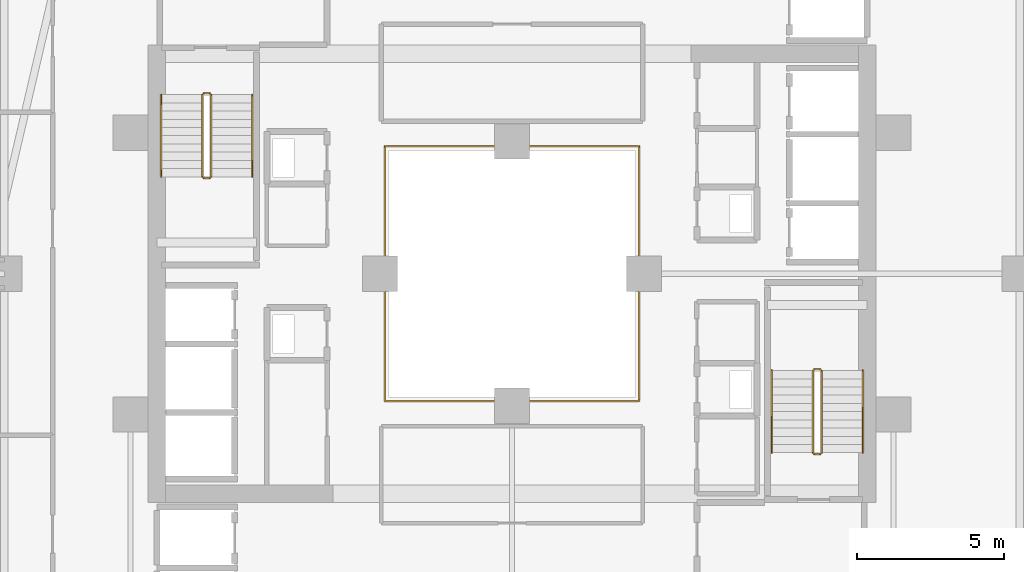
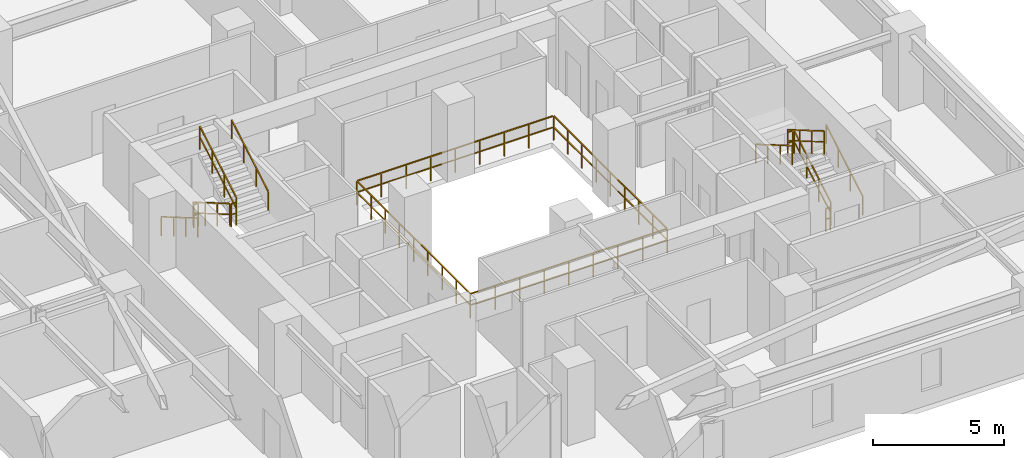
# One storey, part 30 of 31: 13 railings.
"""IFC4 building model written with IfcOpenShell, lengths in metres."""

import ifcopenshell
import ifcopenshell.guid

model = None  # the IFC model being written
_history = None  # IfcOwnerHistory: only IFC2X3 demands one
_inside = {}  # id of a spatial element -> (the spatial element, [elements in it])
_under = {}  # id of a project, library or spatial element -> (it, [spatial elements below it])
_declared = {}  # id of a project -> (the project, [libraries it declares])
_typed = {}  # id of a type object -> (the type object, [elements of that type])
_made_of = {}  # id of a material, layer set ... -> (it, [elements and type objects made of it])


def new_model(schema):
    """Start an empty IFC model of exactly this schema.

    Asked for "IFC4X3", IfcOpenShell would pick the latest addendum, in which some entities
    have other attributes; the version numbers below select the first issue.
    IFC2X3 requires an IfcOwnerHistory on every rooted entity: one is made here for all.
    """
    global model, _history
    if schema == "IFC4X3":
        model = ifcopenshell.file(schema_version=(4, 3, 0, 0))
    else:
        model = ifcopenshell.file(schema=schema)
    _inside.clear()
    _under.clear()
    _declared.clear()
    _typed.clear()
    _made_of.clear()
    _history = None
    if model.schema == "IFC2X3":
        org = make("IfcOrganization", Name="unknown")
        user = make(
            "IfcPersonAndOrganization",
            ThePerson=make("IfcPerson", FamilyName="unknown"),
            TheOrganization=org,
        )
        app = make(
            "IfcApplication",
            ApplicationDeveloper=org,
            Version="unknown",
            ApplicationFullName="unknown",
            ApplicationIdentifier="unknown",
        )
        _history = make(
            "IfcOwnerHistory",
            OwningUser=user,
            OwningApplication=app,
            ChangeAction="ADDED",
            CreationDate=0,
        )
    return model


def make(cls, **values):
    """One entity of the class cls with the attributes given. An attribute that is None is left unset."""
    return model.create_entity(
        cls, **{name: value for name, value in values.items() if value is not None}
    )


def rooted(cls, **values):
    """An entity with a GlobalId (a new one), such as an element, a storey or a relation."""
    return make(cls, GlobalId=ifcopenshell.guid.new(), OwnerHistory=_history, **values)


def si_unit(unit_type, name, prefix=None):
    """IfcSIUnit, for example si_unit("LENGTHUNIT", "METRE", prefix="MILLI")."""
    return make("IfcSIUnit", UnitType=unit_type, Prefix=prefix, Name=name)


def assignment(units):
    """IfcUnitAssignment: the units of a project."""
    return None if units is None else make("IfcUnitAssignment", Units=units)


def point(xyz):
    """IfcCartesianPoint."""
    return None if xyz is None else make("IfcCartesianPoint", Coordinates=xyz)


def direction(xyz):
    """IfcDirection."""
    return None if xyz is None else make("IfcDirection", DirectionRatios=xyz)


def frame(location, z_axis=None, x_axis=None):
    """IfcAxis2Placement3D, a coordinate frame: its origin and axes. An axis left out is left unset."""
    return make(
        "IfcAxis2Placement3D",
        Location=point(location),
        Axis=direction(z_axis),
        RefDirection=direction(x_axis),
    )


def frame_2d(location, x_axis=None):
    """IfcAxis2Placement2D, a coordinate frame in the plane: its origin and x axis."""
    return make(
        "IfcAxis2Placement2D", Location=point(location), RefDirection=direction(x_axis)
    )


def origin():
    """The frame at (0, 0, 0) with its axes left unset."""
    return frame((0.0, 0.0, 0.0))


def origin_2d():
    """The frame at (0, 0) in the plane with its x axis left unset."""
    return frame_2d((0.0, 0.0))


def place(relative_to, where):
    """IfcLocalPlacement: puts the frame where relative to a parent placement (None: the world)."""
    return make(
        "IfcLocalPlacement", PlacementRelTo=relative_to, RelativePlacement=where
    )


def context(
    kind, dimensions, precision=None, world=None, true_north=None, identifier=None
):
    """IfcGeometricRepresentationContext, for example the 3D "Model" context."""
    return make(
        "IfcGeometricRepresentationContext",
        ContextIdentifier=identifier,
        ContextType=kind,
        CoordinateSpaceDimension=dimensions,
        Precision=precision,
        WorldCoordinateSystem=world,
        TrueNorth=true_north,
    )


def subcontext(parent, identifier, kind, view, scale=None):
    """IfcGeometricRepresentationSubContext, for example "Body" below "Model"."""
    return make(
        "IfcGeometricRepresentationSubContext",
        ContextIdentifier=identifier,
        ContextType=kind,
        ParentContext=parent,
        TargetScale=scale,
        TargetView=view,
    )


def project(units=None, contexts=None):
    """IfcProject with its units and contexts."""
    return rooted(
        "IfcProject",
        Name="project",
        RepresentationContexts=contexts,
        UnitsInContext=assignment(units),
    )


def spatial(cls, under=None, at=None, **own):
    """A site, building, storey or space (cls), placed at a placement, below another one or the project."""
    s = rooted(cls, ObjectPlacement=at, **own)
    if under is not None:
        _under.setdefault(under.id(), (under, []))[1].append(s)
    return s


def profile(cls, at=None, kind="AREA", **sizes):
    """A parametric profile (cls). Its sizes go by their IFC names, for example OverallWidth=200.0."""
    return make(cls, ProfileType=kind, Position=at, **sizes)


def rectangle(**sizes):
    """IfcRectangleProfileDef."""
    return profile("IfcRectangleProfileDef", **sizes)


def extrude(swept, where, along, depth):
    """IfcExtrudedAreaSolid: the profile swept, set in the frame where, extruded along a direction by depth."""
    return make(
        "IfcExtrudedAreaSolid",
        SweptArea=swept,
        Position=where,
        ExtrudedDirection=direction(along),
        Depth=depth,
    )


def shape(context_of_items, identifier, shape_type, items):
    """IfcShapeRepresentation: the items that make up one representation, for example the "Body"."""
    return make(
        "IfcShapeRepresentation",
        ContextOfItems=context_of_items,
        RepresentationIdentifier=identifier,
        RepresentationType=shape_type,
        Items=items,
    )


def material(Name=None, Category=None):
    """IfcMaterial."""
    return make("IfcMaterial", Name=Name, Category=Category)


def made_of(thing, what):
    """Note that an element or type object is made of a material, layer set ...; save() writes the relation."""
    if what is not None:
        _made_of.setdefault(what.id(), (what, []))[1].append(thing)
    return thing


def type_object(cls, material=None, **own):
    """A type object (cls), such as IfcWallType, which elements share."""
    return made_of(rooted(cls, **own), material)


def element(
    cls,
    number,
    at=None,
    inside=None,
    cuts=None,
    type_object=None,
    material=None,
    context=None,
    identifier="Body",
    shape_type=None,
    held_by="IfcProductDefinitionShape",
    body=None,
    shapes=None,
    **own,
):
    """One element of the class cls, such as IfcWall. Its Tag is "e" and its number.

    at: its placement. inside: the storey or other place that contains it. cuts: it is an
    opening in that element (IfcRelVoidsElement). A single representation is given by context,
    identifier, shape_type and body (its items); several are given by shapes. held_by: the class
    of the entity that holds the representations. save() writes the other relations.
    """
    e = rooted(cls, Tag="e%d" % number, ObjectPlacement=at, **own)
    if body is not None:
        shapes = [shape(context, identifier, shape_type, body)]
    if shapes is not None:
        e.Representation = make(held_by, Representations=shapes)
    if inside is not None:
        _inside.setdefault(inside.id(), (inside, []))[1].append(e)
    if cuts is not None:
        rooted(
            "IfcRelVoidsElement", RelatingBuildingElement=cuts, RelatedOpeningElement=e
        )
    if type_object is not None:
        _typed.setdefault(type_object.id(), (type_object, []))[1].append(e)
    return made_of(e, material)


def aggregate(whole, parts):
    """IfcRelAggregates: a whole, such as a stair, and the parts it consists of."""
    return rooted("IfcRelAggregates", RelatingObject=whole, RelatedObjects=parts)


def save(model, path):
    """Write the relations noted so far, then the file.

    IfcRelAggregates (storeys below a building ...), IfcRelContainedInSpatialStructure (elements
    in a storey), IfcRelDefinesByType, IfcRelAssociatesMaterial and IfcRelDeclares: one each for
    every whole, place, type object, material and project.
    """
    for whole, parts in _under.values():
        aggregate(whole, parts)
    for where, things in _inside.values():
        rooted(
            "IfcRelContainedInSpatialStructure",
            RelatedElements=things,
            RelatingStructure=where,
        )
    for kind, things in _typed.values():
        rooted("IfcRelDefinesByType", RelatedObjects=things, RelatingType=kind)
    for what, things in _made_of.values():
        rooted("IfcRelAssociatesMaterial", RelatedObjects=things, RelatingMaterial=what)
    for by, libraries in _declared.values():
        rooted("IfcRelDeclares", RelatingContext=by, RelatedDefinitions=libraries)
    model.write(path)


model = new_model("IFC4")

# Units and contexts
model_context = context("Model", 3, precision=1e-05, world=origin(), true_north=direction((0.0, 1.0)))
body_context = subcontext(model_context, "Body", "Model", "MODEL_VIEW")
ifc_project = project(units=[si_unit("LENGTHUNIT", "METRE"), si_unit("AREAUNIT", "SQUARE_METRE"), si_unit("VOLUMEUNIT", "CUBIC_METRE"), si_unit("PLANEANGLEUNIT", "RADIAN"), si_unit("MASSUNIT", "GRAM", prefix="KILO")], contexts=[model_context])

# Site, building, storey
site_placement = place(None, origin())
site = spatial("IfcSite", under=ifc_project, at=site_placement, CompositionType="ELEMENT")
building_placement = place(site_placement, origin())
building = spatial("IfcBuilding", under=site, at=building_placement, Name="Thornwick Lancets Civic Towers", CompositionType="ELEMENT")
storey_placement = place(building_placement, frame((0.0, 0.0, 90.89990234375)))
storey = spatial("IfcBuildingStorey", under=building, at=storey_placement, Name="L23", CompositionType="ELEMENT", Elevation=90.89990234375)

# Railings
ifc_material_1 = material(Name="Laminated glass and bronze steel S355", Category="steel")
railing_type_1 = type_object("IfcRailingType", Name="RAIL_ATRIUM_GUARD", PredefinedType="BALUSTRADE", material=ifc_material_1)
railing_1_placement = place(storey_placement, frame((84.159912109375, 22.659912109375, 0.0)))
element("IfcRailing", 1, at=railing_1_placement, inside=storey, type_object=railing_type_1, Name="L23 Tower B Central Atrium Guard Balustrade", PredefinedType="BALUSTRADE", context=body_context, shape_type="SweptSolid", body=[
    extrude(rectangle(XDim=0.048095703125, YDim=0.048095703125, at=origin_2d()), frame((0.0, 0.0, 1.1259765625), z_axis=(1.0, 0.0, 0.0), x_axis=(0.0, 1.0, 0.0)), (0.0, 0.0, 1.0), 8.64892578125),
    extrude(rectangle(XDim=0.0419921875, YDim=0.0419921875, at=origin_2d()), frame((0.03759765625, 0.0, 0.597900390625), z_axis=(1.0, 0.0, 0.0), x_axis=(0.0, 1.0, 0.0)), (0.0, 0.0, 1.0), 1.010009765625),
    extrude(rectangle(XDim=0.0419921875, YDim=0.0419921875, at=origin_2d()), frame((1.12255859375, 0.0, 0.597900390625), z_axis=(1.0, 0.0, 0.0), x_axis=(0.0, 1.0, 0.0)), (0.0, 0.0, 1.0), 1.010009765625),
    extrude(rectangle(XDim=0.0419921875, YDim=0.0419921875, at=origin_2d()), frame((2.20751953125, 0.0, 0.597900390625), z_axis=(1.0, 0.0, 0.0), x_axis=(0.0, 1.0, 0.0)), (0.0, 0.0, 1.0), 1.010009765625),
    extrude(rectangle(XDim=0.0419921875, YDim=0.0419921875, at=origin_2d()), frame((3.29248046875, 0.0, 0.597900390625), z_axis=(1.0, 0.0, 0.0), x_axis=(0.0, 1.0, 0.0)), (0.0, 0.0, 1.0), 1.010009765625),
    extrude(rectangle(XDim=0.0419921875, YDim=0.0419921875, at=origin_2d()), frame((4.377685546875, 0.0, 0.597900390625), z_axis=(1.0, 0.0, 0.0), x_axis=(0.0, 1.0, 0.0)), (0.0, 0.0, 1.0), 1.010009765625),
    extrude(rectangle(XDim=0.0419921875, YDim=0.0419921875, at=origin_2d()), frame((5.462646484375, 0.0, 0.597900390625), z_axis=(1.0, 0.0, 0.0), x_axis=(0.0, 1.0, 0.0)), (0.0, 0.0, 1.0), 1.010009765625),
    extrude(rectangle(XDim=0.0419921875, YDim=0.0419921875, at=origin_2d()), frame((6.547607421875, 0.0, 0.597900390625), z_axis=(1.0, 0.0, 0.0), x_axis=(0.0, 1.0, 0.0)), (0.0, 0.0, 1.0), 1.010009765625),
    extrude(rectangle(XDim=0.0419921875, YDim=0.0419921875, at=origin_2d()), frame((7.632568359375, 0.0, 0.597900390625), z_axis=(1.0, 0.0, 0.0), x_axis=(0.0, 1.0, 0.0)), (0.0, 0.0, 1.0), 1.010009765625),
    extrude(rectangle(XDim=0.048095703125, YDim=0.048095703125, at=origin_2d()), frame((8.68017578125, 0.03125, 1.1259765625), z_axis=(0.0, 1.0, 0.0), x_axis=(-1.0, 0.0, 0.0)), (0.0, 0.0, 1.0), 8.61767578125),
    extrude(rectangle(XDim=0.0419921875, YDim=0.0419921875, at=origin_2d()), frame((8.68017578125, 0.03759765625, 0.597900390625), z_axis=(0.0, 1.0, 0.0), x_axis=(-1.0, 0.0, 0.0)), (0.0, 0.0, 1.0), 1.010009765625),
    extrude(rectangle(XDim=0.0419921875, YDim=0.0419921875, at=origin_2d()), frame((8.68017578125, 1.12255859375, 0.597900390625), z_axis=(0.0, 1.0, 0.0), x_axis=(-1.0, 0.0, 0.0)), (0.0, 0.0, 1.0), 1.010009765625),
    extrude(rectangle(XDim=0.0419921875, YDim=0.0419921875, at=origin_2d()), frame((8.68017578125, 2.20751953125, 0.597900390625), z_axis=(0.0, 1.0, 0.0), x_axis=(-1.0, 0.0, 0.0)), (0.0, 0.0, 1.0), 1.010009765625),
    extrude(rectangle(XDim=0.0419921875, YDim=0.0419921875, at=origin_2d()), frame((8.68017578125, 3.29248046875, 0.597900390625), z_axis=(0.0, 1.0, 0.0), x_axis=(-1.0, 0.0, 0.0)), (0.0, 0.0, 1.0), 1.010009765625),
    extrude(rectangle(XDim=0.0419921875, YDim=0.0419921875, at=origin_2d()), frame((8.68017578125, 4.377685546875, 0.597900390625), z_axis=(0.0, 1.0, 0.0), x_axis=(-1.0, 0.0, 0.0)), (0.0, 0.0, 1.0), 1.010009765625),
    extrude(rectangle(XDim=0.0419921875, YDim=0.0419921875, at=origin_2d()), frame((8.68017578125, 5.462646484375, 0.597900390625), z_axis=(0.0, 1.0, 0.0), x_axis=(-1.0, 0.0, 0.0)), (0.0, 0.0, 1.0), 1.010009765625),
    extrude(rectangle(XDim=0.0419921875, YDim=0.0419921875, at=origin_2d()), frame((8.68017578125, 6.547607421875, 0.597900390625), z_axis=(0.0, 1.0, 0.0), x_axis=(-1.0, 0.0, 0.0)), (0.0, 0.0, 1.0), 1.010009765625),
    extrude(rectangle(XDim=0.0419921875, YDim=0.0419921875, at=origin_2d()), frame((8.68017578125, 7.632568359375, 0.597900390625), z_axis=(0.0, 1.0, 0.0), x_axis=(-1.0, 0.0, 0.0)), (0.0, 0.0, 1.0), 1.010009765625),
    extrude(rectangle(XDim=0.048095703125, YDim=0.048095703125, at=origin_2d()), frame((8.64892578125, 8.68017578125, 1.1259765625), z_axis=(-1.0, 0.0, 0.0), x_axis=(0.0, -1.0, 0.0)), (0.0, 0.0, 1.0), 8.61767578125),
    extrude(rectangle(XDim=0.0419921875, YDim=0.0419921875, at=origin_2d()), frame((8.642578125, 8.68017578125, 0.597900390625), z_axis=(-1.0, 0.0, 0.0), x_axis=(0.0, -1.0, 0.0)), (0.0, 0.0, 1.0), 1.010009765625),
    extrude(rectangle(XDim=0.0419921875, YDim=0.0419921875, at=origin_2d()), frame((7.5576171875, 8.68017578125, 0.597900390625), z_axis=(-1.0, 0.0, 0.0), x_axis=(0.0, -1.0, 0.0)), (0.0, 0.0, 1.0), 1.010009765625),
    extrude(rectangle(XDim=0.0419921875, YDim=0.0419921875, at=origin_2d()), frame((6.47265625, 8.68017578125, 0.597900390625), z_axis=(-1.0, 0.0, 0.0), x_axis=(0.0, -1.0, 0.0)), (0.0, 0.0, 1.0), 1.010009765625),
    extrude(rectangle(XDim=0.0419921875, YDim=0.0419921875, at=origin_2d()), frame((5.3876953125, 8.68017578125, 0.597900390625), z_axis=(-1.0, 0.0, 0.0), x_axis=(0.0, -1.0, 0.0)), (0.0, 0.0, 1.0), 1.010009765625),
    extrude(rectangle(XDim=0.0419921875, YDim=0.0419921875, at=origin_2d()), frame((4.302490234375, 8.68017578125, 0.597900390625), z_axis=(-1.0, 0.0, 0.0), x_axis=(0.0, -1.0, 0.0)), (0.0, 0.0, 1.0), 1.010009765625),
    extrude(rectangle(XDim=0.0419921875, YDim=0.0419921875, at=origin_2d()), frame((3.217529296875, 8.68017578125, 0.597900390625), z_axis=(-1.0, 0.0, 0.0), x_axis=(0.0, -1.0, 0.0)), (0.0, 0.0, 1.0), 1.010009765625),
    extrude(rectangle(XDim=0.0419921875, YDim=0.0419921875, at=origin_2d()), frame((2.132568359375, 8.68017578125, 0.597900390625), z_axis=(-1.0, 0.0, 0.0), x_axis=(0.0, -1.0, 0.0)), (0.0, 0.0, 1.0), 1.010009765625),
    extrude(rectangle(XDim=0.0419921875, YDim=0.0419921875, at=origin_2d()), frame((1.047607421875, 8.68017578125, 0.597900390625), z_axis=(-1.0, 0.0, 0.0), x_axis=(0.0, -1.0, 0.0)), (0.0, 0.0, 1.0), 1.010009765625),
    extrude(rectangle(XDim=0.048095703125, YDim=0.048095703125, at=origin_2d()), frame((0.0, 8.64892578125, 1.1259765625), z_axis=(0.0, -1.0, 0.0), x_axis=(1.0, 0.0, 0.0)), (0.0, 0.0, 1.0), 8.64892578125),
    extrude(rectangle(XDim=0.0419921875, YDim=0.0419921875, at=origin_2d()), frame((0.0, 8.642578125, 0.597900390625), z_axis=(0.0, -1.0, 0.0), x_axis=(1.0, 0.0, 0.0)), (0.0, 0.0, 1.0), 1.010009765625),
    extrude(rectangle(XDim=0.0419921875, YDim=0.0419921875, at=origin_2d()), frame((0.0, 7.5576171875, 0.597900390625), z_axis=(0.0, -1.0, 0.0), x_axis=(1.0, 0.0, 0.0)), (0.0, 0.0, 1.0), 1.010009765625),
    extrude(rectangle(XDim=0.0419921875, YDim=0.0419921875, at=origin_2d()), frame((0.0, 6.47265625, 0.597900390625), z_axis=(0.0, -1.0, 0.0), x_axis=(1.0, 0.0, 0.0)), (0.0, 0.0, 1.0), 1.010009765625),
    extrude(rectangle(XDim=0.0419921875, YDim=0.0419921875, at=origin_2d()), frame((0.0, 5.3876953125, 0.597900390625), z_axis=(0.0, -1.0, 0.0), x_axis=(1.0, 0.0, 0.0)), (0.0, 0.0, 1.0), 1.010009765625),
    extrude(rectangle(XDim=0.0419921875, YDim=0.0419921875, at=origin_2d()), frame((0.0, 4.302490234375, 0.597900390625), z_axis=(0.0, -1.0, 0.0), x_axis=(1.0, 0.0, 0.0)), (0.0, 0.0, 1.0), 1.010009765625),
    extrude(rectangle(XDim=0.0419921875, YDim=0.0419921875, at=origin_2d()), frame((0.0, 3.217529296875, 0.597900390625), z_axis=(0.0, -1.0, 0.0), x_axis=(1.0, 0.0, 0.0)), (0.0, 0.0, 1.0), 1.010009765625),
    extrude(rectangle(XDim=0.0419921875, YDim=0.0419921875, at=origin_2d()), frame((0.0, 2.132568359375, 0.597900390625), z_axis=(0.0, -1.0, 0.0), x_axis=(1.0, 0.0, 0.0)), (0.0, 0.0, 1.0), 1.010009765625),
    extrude(rectangle(XDim=0.0419921875, YDim=0.0419921875, at=origin_2d()), frame((0.0, 1.047607421875, 0.597900390625), z_axis=(0.0, -1.0, 0.0), x_axis=(1.0, 0.0, 0.0)), (0.0, 0.0, 1.0), 1.010009765625),
    extrude(rectangle(XDim=0.0419921875, YDim=0.0419921875, at=origin_2d()), origin(), (0.0, 0.0, 1.0), 1.095703125),
    extrude(rectangle(XDim=0.0419921875, YDim=0.0419921875, at=origin_2d()), frame((1.0849609375, 0.0, 0.0)), (0.0, 0.0, 1.0), 1.095703125),
    extrude(rectangle(XDim=0.0419921875, YDim=0.0419921875, at=origin_2d()), frame((2.169921875, 0.0, 0.0)), (0.0, 0.0, 1.0), 1.095703125),
    extrude(rectangle(XDim=0.0419921875, YDim=0.0419921875, at=origin_2d()), frame((3.255126953125, 0.0, 0.0)), (0.0, 0.0, 1.0), 1.095703125),
    extrude(rectangle(XDim=0.0419921875, YDim=0.0419921875, at=origin_2d()), frame((4.340087890625, 0.0, 0.0)), (0.0, 0.0, 1.0), 1.095703125),
    extrude(rectangle(XDim=0.0419921875, YDim=0.0419921875, at=origin_2d()), frame((5.425048828125, 0.0, 0.0)), (0.0, 0.0, 1.0), 1.095703125),
    extrude(rectangle(XDim=0.0419921875, YDim=0.0419921875, at=origin_2d()), frame((6.51025390625, 0.0, 0.0)), (0.0, 0.0, 1.0), 1.095703125),
    extrude(rectangle(XDim=0.0419921875, YDim=0.0419921875, at=origin_2d()), frame((7.59521484375, 0.0, 0.0)), (0.0, 0.0, 1.0), 1.095703125),
    extrude(rectangle(XDim=0.0419921875, YDim=0.0419921875, at=origin_2d()), frame((8.68017578125, 0.0, 0.0)), (0.0, 0.0, 1.0), 1.095703125),
    extrude(rectangle(XDim=0.0419921875, YDim=0.0419921875, at=origin_2d()), frame((8.68017578125, 1.0849609375, 0.0)), (0.0, 0.0, 1.0), 1.095703125),
    extrude(rectangle(XDim=0.0419921875, YDim=0.0419921875, at=origin_2d()), frame((8.68017578125, 2.169921875, 0.0)), (0.0, 0.0, 1.0), 1.095703125),
    extrude(rectangle(XDim=0.0419921875, YDim=0.0419921875, at=origin_2d()), frame((8.68017578125, 3.255126953125, 0.0)), (0.0, 0.0, 1.0), 1.095703125),
    extrude(rectangle(XDim=0.0419921875, YDim=0.0419921875, at=origin_2d()), frame((8.68017578125, 4.340087890625, 0.0)), (0.0, 0.0, 1.0), 1.095703125),
    extrude(rectangle(XDim=0.0419921875, YDim=0.0419921875, at=origin_2d()), frame((8.68017578125, 5.425048828125, 0.0)), (0.0, 0.0, 1.0), 1.095703125),
    extrude(rectangle(XDim=0.0419921875, YDim=0.0419921875, at=origin_2d()), frame((8.68017578125, 6.51025390625, 0.0)), (0.0, 0.0, 1.0), 1.095703125),
    extrude(rectangle(XDim=0.0419921875, YDim=0.0419921875, at=origin_2d()), frame((8.68017578125, 7.59521484375, 0.0)), (0.0, 0.0, 1.0), 1.095703125),
    extrude(rectangle(XDim=0.0419921875, YDim=0.0419921875, at=origin_2d()), frame((8.68017578125, 8.68017578125, 0.0)), (0.0, 0.0, 1.0), 1.095703125),
    extrude(rectangle(XDim=0.0419921875, YDim=0.0419921875, at=origin_2d()), frame((7.59521484375, 8.68017578125, 0.0)), (0.0, 0.0, 1.0), 1.095703125),
    extrude(rectangle(XDim=0.0419921875, YDim=0.0419921875, at=origin_2d()), frame((6.51025390625, 8.68017578125, 0.0)), (0.0, 0.0, 1.0), 1.095703125),
    extrude(rectangle(XDim=0.0419921875, YDim=0.0419921875, at=origin_2d()), frame((5.425048828125, 8.68017578125, 0.0)), (0.0, 0.0, 1.0), 1.095703125),
    extrude(rectangle(XDim=0.0419921875, YDim=0.0419921875, at=origin_2d()), frame((4.340087890625, 8.68017578125, 0.0)), (0.0, 0.0, 1.0), 1.095703125),
    extrude(rectangle(XDim=0.0419921875, YDim=0.0419921875, at=origin_2d()), frame((3.255126953125, 8.68017578125, 0.0)), (0.0, 0.0, 1.0), 1.095703125),
    extrude(rectangle(XDim=0.0419921875, YDim=0.0419921875, at=origin_2d()), frame((2.169921875, 8.68017578125, 0.0)), (0.0, 0.0, 1.0), 1.095703125),
    extrude(rectangle(XDim=0.0419921875, YDim=0.0419921875, at=origin_2d()), frame((1.0849609375, 8.68017578125, 0.0)), (0.0, 0.0, 1.0), 1.095703125),
    extrude(rectangle(XDim=0.0419921875, YDim=0.0419921875, at=origin_2d()), frame((0.0, 8.68017578125, 0.0)), (0.0, 0.0, 1.0), 1.095703125),
    extrude(rectangle(XDim=0.0419921875, YDim=0.0419921875, at=origin_2d()), frame((0.0, 7.59521484375, 0.0)), (0.0, 0.0, 1.0), 1.095703125),
    extrude(rectangle(XDim=0.0419921875, YDim=0.0419921875, at=origin_2d()), frame((0.0, 6.51025390625, 0.0)), (0.0, 0.0, 1.0), 1.095703125),
    extrude(rectangle(XDim=0.0419921875, YDim=0.0419921875, at=origin_2d()), frame((0.0, 5.425048828125, 0.0)), (0.0, 0.0, 1.0), 1.095703125),
    extrude(rectangle(XDim=0.0419921875, YDim=0.0419921875, at=origin_2d()), frame((0.0, 4.340087890625, 0.0)), (0.0, 0.0, 1.0), 1.095703125),
    extrude(rectangle(XDim=0.0419921875, YDim=0.0419921875, at=origin_2d()), frame((0.0, 3.255126953125, 0.0)), (0.0, 0.0, 1.0), 1.095703125),
    extrude(rectangle(XDim=0.0419921875, YDim=0.0419921875, at=origin_2d()), frame((0.0, 2.169921875, 0.0)), (0.0, 0.0, 1.0), 1.095703125),
    extrude(rectangle(XDim=0.0419921875, YDim=0.0419921875, at=origin_2d()), frame((0.0, 1.0849609375, 0.0)), (0.0, 0.0, 1.0), 1.095703125),
])
ifc_material_2 = material(Name="Brushed stainless steel S355", Category="steel")
railing_type_2 = type_object("IfcRailingType", Name="RAIL_HANDRAIL", PredefinedType="HANDRAIL", material=ifc_material_2)
railing_2_placement = place(storey_placement, frame((100.449951171875, 20.89990234375, 0.163818359375)))
element("IfcRailing", 2, at=railing_2_placement, inside=storey, type_object=railing_type_2, Name="L23 ST-B1 stair handrail 1", PredefinedType="HANDRAIL", context=body_context, shape_type="SweptSolid", body=[
    extrude(rectangle(XDim=0.048095703125, YDim=0.048095703125, at=origin_2d()), frame((0.0, 0.0, 0.8857421875), z_axis=(0.0, 0.863393664356, 0.504530851732), x_axis=(-1.0, 0.0, 0.0)), (0.0, 0.0, 1.0), 3.2431640625),
    extrude(rectangle(XDim=0.0419921875, YDim=0.0419921875, at=origin_2d()), origin(), (0.0, 0.0, 1.0), 0.855712890625),
    extrude(rectangle(XDim=0.0419921875, YDim=0.0419921875, at=origin_2d()), frame((0.0, 0.933349609375, 0.54541015625)), (0.0, 0.0, 1.0), 0.855712890625),
    extrude(rectangle(XDim=0.0419921875, YDim=0.0419921875, at=origin_2d()), frame((0.0, 1.86669921875, 1.0908203125)), (0.0, 0.0, 1.0), 0.855712890625),
    extrude(rectangle(XDim=0.0419921875, YDim=0.0419921875, at=origin_2d()), frame((0.0, 2.800048828125, 1.63623046875)), (0.0, 0.0, 1.0), 0.855712890625),
])
railing_3_placement = place(storey_placement, frame((97.35009765625, 23.699951171875, 1.963623046875)))
element("IfcRailing", 3, at=railing_3_placement, inside=storey, type_object=railing_type_2, Name="L23 ST-B1 stair handrail 2", PredefinedType="HANDRAIL", context=body_context, shape_type="SweptSolid", body=[
    extrude(rectangle(XDim=0.048095703125, YDim=0.048095703125, at=origin_2d()), frame((0.0, 0.0, 0.8857421875), z_axis=(0.0, -0.863360870873, 0.504586966384), x_axis=(1.0, 0.0, 0.0)), (0.0, 0.0, 1.0), 3.2431640625),
    extrude(rectangle(XDim=0.0419921875, YDim=0.0419921875, at=origin_2d()), origin(), (0.0, 0.0, 1.0), 0.855712890625),
    extrude(rectangle(XDim=0.0419921875, YDim=0.0419921875, at=origin_2d()), frame((0.0, -0.933349609375, 0.54541015625)), (0.0, 0.0, 1.0), 0.855712890625),
    extrude(rectangle(XDim=0.0419921875, YDim=0.0419921875, at=origin_2d()), frame((0.0, -1.86669921875, 1.091064453125)), (0.0, 0.0, 1.0), 0.855712890625),
    extrude(rectangle(XDim=0.0419921875, YDim=0.0419921875, at=origin_2d()), frame((0.0, -2.800048828125, 1.636474609375)), (0.0, 0.0, 1.0), 0.855712890625),
])
railing_4_placement = place(storey_placement, frame((76.550048828125, 33.10009765625, 0.163818359375)))
element("IfcRailing", 4, at=railing_4_placement, inside=storey, type_object=railing_type_2, Name="L23 ST-B2 stair handrail 1", PredefinedType="HANDRAIL", context=body_context, shape_type="SweptSolid", body=[
    extrude(rectangle(XDim=0.048095703125, YDim=0.048095703125, at=origin_2d()), frame((0.0, 0.0, 0.8857421875), z_axis=(0.0, -0.863393664356, 0.504530851732), x_axis=(1.0, 0.0, 0.0)), (0.0, 0.0, 1.0), 3.2431640625),
    extrude(rectangle(XDim=0.0419921875, YDim=0.0419921875, at=origin_2d()), origin(), (0.0, 0.0, 1.0), 0.855712890625),
    extrude(rectangle(XDim=0.0419921875, YDim=0.0419921875, at=origin_2d()), frame((0.0, -0.933349609375, 0.54541015625)), (0.0, 0.0, 1.0), 0.855712890625),
    extrude(rectangle(XDim=0.0419921875, YDim=0.0419921875, at=origin_2d()), frame((0.0, -1.86669921875, 1.0908203125)), (0.0, 0.0, 1.0), 0.855712890625),
    extrude(rectangle(XDim=0.0419921875, YDim=0.0419921875, at=origin_2d()), frame((0.0, -2.800048828125, 1.63623046875)), (0.0, 0.0, 1.0), 0.855712890625),
])
railing_5_placement = place(storey_placement, frame((79.64990234375, 30.300048828125, 1.963623046875)))
element("IfcRailing", 5, at=railing_5_placement, inside=storey, type_object=railing_type_2, Name="L23 ST-B2 stair handrail 2", PredefinedType="HANDRAIL", context=body_context, shape_type="SweptSolid", body=[
    extrude(rectangle(XDim=0.048095703125, YDim=0.048095703125, at=origin_2d()), frame((0.0, 0.0, 0.8857421875), z_axis=(0.0, 0.863360870873, 0.504586966384), x_axis=(-1.0, 0.0, 0.0)), (0.0, 0.0, 1.0), 3.2431640625),
    extrude(rectangle(XDim=0.0419921875, YDim=0.0419921875, at=origin_2d()), origin(), (0.0, 0.0, 1.0), 0.855712890625),
    extrude(rectangle(XDim=0.0419921875, YDim=0.0419921875, at=origin_2d()), frame((0.0, 0.933349609375, 0.54541015625)), (0.0, 0.0, 1.0), 0.855712890625),
    extrude(rectangle(XDim=0.0419921875, YDim=0.0419921875, at=origin_2d()), frame((0.0, 1.86669921875, 1.091064453125)), (0.0, 0.0, 1.0), 0.855712890625),
    extrude(rectangle(XDim=0.0419921875, YDim=0.0419921875, at=origin_2d()), frame((0.0, 2.800048828125, 1.636474609375)), (0.0, 0.0, 1.0), 0.855712890625),
])
ifc_material_3 = material(Name="Steel S355JR", Category="steel")
railing_type_3 = type_object("IfcRailingType", Name="RAIL_STAIR_GUARD", PredefinedType="GUARDRAIL", material=ifc_material_3)
railing_6_placement = place(storey_placement, frame((99.050048828125, 20.89990234375, 0.163818359375)))
element("IfcRailing", 6, at=railing_6_placement, inside=storey, type_object=railing_type_3, Name="L23 ST-B1 stair guard 1", PredefinedType="GUARDRAIL", context=body_context, shape_type="SweptSolid", body=[
    extrude(rectangle(XDim=0.048095703125, YDim=0.048095703125, at=origin_2d()), frame((0.0, 0.0, 1.076171875), z_axis=(0.0, 0.863393664356, 0.504530851732), x_axis=(-1.0, 0.0, 0.0)), (0.0, 0.0, 1.0), 3.2431640625),
    extrude(rectangle(XDim=0.0419921875, YDim=0.0419921875, at=origin_2d()), frame((0.0, 0.032470703125, 0.591064453125), z_axis=(0.0, 0.863393664356, 0.504530851732), x_axis=(-1.0, 0.0, 0.0)), (0.0, 0.0, 1.0), 1.006103515625),
    extrude(rectangle(XDim=0.0419921875, YDim=0.0419921875, at=origin_2d()), frame((0.0, 0.9658203125, 1.136474609375), z_axis=(0.0, 0.863393664356, 0.504530851732), x_axis=(-1.0, 0.0, 0.0)), (0.0, 0.0, 1.0), 1.006103515625),
    extrude(rectangle(XDim=0.0419921875, YDim=0.0419921875, at=origin_2d()), frame((0.0, 1.899169921875, 1.681884765625), z_axis=(0.0, 0.863393664356, 0.504530851732), x_axis=(-1.0, 0.0, 0.0)), (0.0, 0.0, 1.0), 1.006103515625),
    extrude(rectangle(XDim=0.0419921875, YDim=0.0419921875, at=origin_2d()), origin(), (0.0, 0.0, 1.0), 1.0458984375),
    extrude(rectangle(XDim=0.0419921875, YDim=0.0419921875, at=origin_2d()), frame((0.0, 0.933349609375, 0.54541015625)), (0.0, 0.0, 1.0), 1.0458984375),
    extrude(rectangle(XDim=0.0419921875, YDim=0.0419921875, at=origin_2d()), frame((0.0, 1.86669921875, 1.0908203125)), (0.0, 0.0, 1.0), 1.0458984375),
    extrude(rectangle(XDim=0.0419921875, YDim=0.0419921875, at=origin_2d()), frame((0.0, 2.800048828125, 1.63623046875)), (0.0, 0.0, 1.0), 1.0458984375),
])
railing_7_placement = place(storey_placement, frame((99.0, 23.75, 1.800048828125)))
element("IfcRailing", 7, at=railing_7_placement, inside=storey, type_object=railing_type_3, Name="L23 ST-B1 stair guard 2", PredefinedType="GUARDRAIL", context=body_context, shape_type="SweptSolid", body=[
    extrude(rectangle(XDim=0.048095703125, YDim=0.048095703125, at=origin_2d()), frame((0.0, 0.0, 1.076171875), z_axis=(-1.0, 0.0, 0.0), x_axis=(0.0, -1.0, 0.0)), (0.0, 0.0, 1.0), 0.199951171875),
    extrude(rectangle(XDim=0.0419921875, YDim=0.0419921875, at=origin_2d()), frame((-0.03759765625, 0.0, 0.572021484375), z_axis=(-1.0, 0.0, 0.0), x_axis=(0.0, -1.0, 0.0)), (0.0, 0.0, 1.0), 0.125),
    extrude(rectangle(XDim=0.0419921875, YDim=0.0419921875, at=origin_2d()), origin(), (0.0, 0.0, 1.0), 1.0458984375),
    extrude(rectangle(XDim=0.0419921875, YDim=0.0419921875, at=origin_2d()), frame((-0.199951171875, 0.0, 0.0)), (0.0, 0.0, 1.0), 1.0458984375),
])
railing_8_placement = place(storey_placement, frame((98.75, 23.699951171875, 1.963623046875)))
element("IfcRailing", 8, at=railing_8_placement, inside=storey, type_object=railing_type_3, Name="L23 ST-B1 stair guard 3", PredefinedType="GUARDRAIL", context=body_context, shape_type="SweptSolid", body=[
    extrude(rectangle(XDim=0.048095703125, YDim=0.048095703125, at=origin_2d()), frame((0.0, 0.0, 1.076171875), z_axis=(0.0, -0.863360870873, 0.504586966384), x_axis=(1.0, 0.0, 0.0)), (0.0, 0.0, 1.0), 3.2431640625),
    extrude(rectangle(XDim=0.0419921875, YDim=0.0419921875, at=origin_2d()), frame((0.0, -0.032470703125, 0.591064453125), z_axis=(0.0, -0.863360870873, 0.504586966384), x_axis=(1.0, 0.0, 0.0)), (0.0, 0.0, 1.0), 1.006103515625),
    extrude(rectangle(XDim=0.0419921875, YDim=0.0419921875, at=origin_2d()), frame((0.0, -0.9658203125, 1.136474609375), z_axis=(0.0, -0.863360870873, 0.504586966384), x_axis=(1.0, 0.0, 0.0)), (0.0, 0.0, 1.0), 1.006103515625),
    extrude(rectangle(XDim=0.0419921875, YDim=0.0419921875, at=origin_2d()), frame((0.0, -1.899169921875, 1.681884765625), z_axis=(0.0, -0.863360870873, 0.504586966384), x_axis=(1.0, 0.0, 0.0)), (0.0, 0.0, 1.0), 1.006103515625),
    extrude(rectangle(XDim=0.0419921875, YDim=0.0419921875, at=origin_2d()), origin(), (0.0, 0.0, 1.0), 1.0458984375),
    extrude(rectangle(XDim=0.0419921875, YDim=0.0419921875, at=origin_2d()), frame((0.0, -0.933349609375, 0.54541015625)), (0.0, 0.0, 1.0), 1.0458984375),
    extrude(rectangle(XDim=0.0419921875, YDim=0.0419921875, at=origin_2d()), frame((0.0, -1.86669921875, 1.091064453125)), (0.0, 0.0, 1.0), 1.0458984375),
    extrude(rectangle(XDim=0.0419921875, YDim=0.0419921875, at=origin_2d()), frame((0.0, -2.800048828125, 1.636474609375)), (0.0, 0.0, 1.0), 1.0458984375),
])
railing_9_placement = place(storey_placement, frame((99.0, 20.85009765625, 0.0)))
element("IfcRailing", 9, at=railing_9_placement, inside=storey, type_object=railing_type_3, Name="L23 ST-B1 stair guard 4", PredefinedType="GUARDRAIL", context=body_context, shape_type="SweptSolid", body=[
    extrude(rectangle(XDim=0.048095703125, YDim=0.048095703125, at=origin_2d()), frame((0.0, 0.0, 1.076171875), z_axis=(-1.0, 0.0, 0.0), x_axis=(0.0, -1.0, 0.0)), (0.0, 0.0, 1.0), 0.199951171875),
    extrude(rectangle(XDim=0.0419921875, YDim=0.0419921875, at=origin_2d()), frame((-0.03759765625, 0.0, 0.572021484375), z_axis=(-1.0, 0.0, 0.0), x_axis=(0.0, -1.0, 0.0)), (0.0, 0.0, 1.0), 0.125),
    extrude(rectangle(XDim=0.0419921875, YDim=0.0419921875, at=origin_2d()), origin(), (0.0, 0.0, 1.0), 1.0458984375),
    extrude(rectangle(XDim=0.0419921875, YDim=0.0419921875, at=origin_2d()), frame((-0.199951171875, 0.0, 0.0)), (0.0, 0.0, 1.0), 1.0458984375),
])
railing_10_placement = place(storey_placement, frame((77.949951171875, 33.10009765625, 0.163818359375)))
element("IfcRailing", 10, at=railing_10_placement, inside=storey, type_object=railing_type_3, Name="L23 ST-B2 stair guard 1", PredefinedType="GUARDRAIL", context=body_context, shape_type="SweptSolid", body=[
    extrude(rectangle(XDim=0.048095703125, YDim=0.048095703125, at=origin_2d()), frame((0.0, 0.0, 1.076171875), z_axis=(0.0, -0.863393664356, 0.504530851732), x_axis=(1.0, 0.0, 0.0)), (0.0, 0.0, 1.0), 3.2431640625),
    extrude(rectangle(XDim=0.0419921875, YDim=0.0419921875, at=origin_2d()), frame((0.0, -0.032470703125, 0.591064453125), z_axis=(0.0, -0.863393664356, 0.504530851732), x_axis=(1.0, 0.0, 0.0)), (0.0, 0.0, 1.0), 1.006103515625),
    extrude(rectangle(XDim=0.0419921875, YDim=0.0419921875, at=origin_2d()), frame((0.0, -0.9658203125, 1.136474609375), z_axis=(0.0, -0.863393664356, 0.504530851732), x_axis=(1.0, 0.0, 0.0)), (0.0, 0.0, 1.0), 1.006103515625),
    extrude(rectangle(XDim=0.0419921875, YDim=0.0419921875, at=origin_2d()), frame((0.0, -1.899169921875, 1.681884765625), z_axis=(0.0, -0.863393664356, 0.504530851732), x_axis=(1.0, 0.0, 0.0)), (0.0, 0.0, 1.0), 1.006103515625),
    extrude(rectangle(XDim=0.0419921875, YDim=0.0419921875, at=origin_2d()), origin(), (0.0, 0.0, 1.0), 1.0458984375),
    extrude(rectangle(XDim=0.0419921875, YDim=0.0419921875, at=origin_2d()), frame((0.0, -0.933349609375, 0.54541015625)), (0.0, 0.0, 1.0), 1.0458984375),
    extrude(rectangle(XDim=0.0419921875, YDim=0.0419921875, at=origin_2d()), frame((0.0, -1.86669921875, 1.0908203125)), (0.0, 0.0, 1.0), 1.0458984375),
    extrude(rectangle(XDim=0.0419921875, YDim=0.0419921875, at=origin_2d()), frame((0.0, -2.800048828125, 1.63623046875)), (0.0, 0.0, 1.0), 1.0458984375),
])
railing_11_placement = place(storey_placement, frame((78.0, 30.25, 1.800048828125)))
element("IfcRailing", 11, at=railing_11_placement, inside=storey, type_object=railing_type_3, Name="L23 ST-B2 stair guard 2", PredefinedType="GUARDRAIL", context=body_context, shape_type="SweptSolid", body=[
    extrude(rectangle(XDim=0.048095703125, YDim=0.048095703125, at=origin_2d()), frame((0.0, 0.0, 1.076171875), z_axis=(1.0, 0.0, 0.0), x_axis=(0.0, 1.0, 0.0)), (0.0, 0.0, 1.0), 0.199951171875),
    extrude(rectangle(XDim=0.0419921875, YDim=0.0419921875, at=origin_2d()), frame((0.03759765625, 0.0, 0.572021484375), z_axis=(1.0, 0.0, 0.0), x_axis=(0.0, 1.0, 0.0)), (0.0, 0.0, 1.0), 0.125),
    extrude(rectangle(XDim=0.0419921875, YDim=0.0419921875, at=origin_2d()), origin(), (0.0, 0.0, 1.0), 1.0458984375),
    extrude(rectangle(XDim=0.0419921875, YDim=0.0419921875, at=origin_2d()), frame((0.199951171875, 0.0, 0.0)), (0.0, 0.0, 1.0), 1.0458984375),
])
railing_12_placement = place(storey_placement, frame((78.25, 30.300048828125, 1.963623046875)))
element("IfcRailing", 12, at=railing_12_placement, inside=storey, type_object=railing_type_3, Name="L23 ST-B2 stair guard 3", PredefinedType="GUARDRAIL", context=body_context, shape_type="SweptSolid", body=[
    extrude(rectangle(XDim=0.048095703125, YDim=0.048095703125, at=origin_2d()), frame((0.0, 0.0, 1.076171875), z_axis=(0.0, 0.863360870873, 0.504586966384), x_axis=(-1.0, 0.0, 0.0)), (0.0, 0.0, 1.0), 3.2431640625),
    extrude(rectangle(XDim=0.0419921875, YDim=0.0419921875, at=origin_2d()), frame((0.0, 0.032470703125, 0.591064453125), z_axis=(0.0, 0.863360870873, 0.504586966384), x_axis=(-1.0, 0.0, 0.0)), (0.0, 0.0, 1.0), 1.006103515625),
    extrude(rectangle(XDim=0.0419921875, YDim=0.0419921875, at=origin_2d()), frame((0.0, 0.9658203125, 1.136474609375), z_axis=(0.0, 0.863360870873, 0.504586966384), x_axis=(-1.0, 0.0, 0.0)), (0.0, 0.0, 1.0), 1.006103515625),
    extrude(rectangle(XDim=0.0419921875, YDim=0.0419921875, at=origin_2d()), frame((0.0, 1.899169921875, 1.681884765625), z_axis=(0.0, 0.863360870873, 0.504586966384), x_axis=(-1.0, 0.0, 0.0)), (0.0, 0.0, 1.0), 1.006103515625),
    extrude(rectangle(XDim=0.0419921875, YDim=0.0419921875, at=origin_2d()), origin(), (0.0, 0.0, 1.0), 1.0458984375),
    extrude(rectangle(XDim=0.0419921875, YDim=0.0419921875, at=origin_2d()), frame((0.0, 0.933349609375, 0.54541015625)), (0.0, 0.0, 1.0), 1.0458984375),
    extrude(rectangle(XDim=0.0419921875, YDim=0.0419921875, at=origin_2d()), frame((0.0, 1.86669921875, 1.091064453125)), (0.0, 0.0, 1.0), 1.0458984375),
    extrude(rectangle(XDim=0.0419921875, YDim=0.0419921875, at=origin_2d()), frame((0.0, 2.800048828125, 1.636474609375)), (0.0, 0.0, 1.0), 1.0458984375),
])
railing_13_placement = place(storey_placement, frame((78.0, 33.14990234375, 0.0)))
element("IfcRailing", 13, at=railing_13_placement, inside=storey, type_object=railing_type_3, Name="L23 ST-B2 stair guard 4", PredefinedType="GUARDRAIL", context=body_context, shape_type="SweptSolid", body=[
    extrude(rectangle(XDim=0.048095703125, YDim=0.048095703125, at=origin_2d()), frame((0.0, 0.0, 1.076171875), z_axis=(1.0, 0.0, 0.0), x_axis=(0.0, 1.0, 0.0)), (0.0, 0.0, 1.0), 0.199951171875),
    extrude(rectangle(XDim=0.0419921875, YDim=0.0419921875, at=origin_2d()), frame((0.03759765625, 0.0, 0.572021484375), z_axis=(1.0, 0.0, 0.0), x_axis=(0.0, 1.0, 0.0)), (0.0, 0.0, 1.0), 0.125),
    extrude(rectangle(XDim=0.0419921875, YDim=0.0419921875, at=origin_2d()), origin(), (0.0, 0.0, 1.0), 1.0458984375),
    extrude(rectangle(XDim=0.0419921875, YDim=0.0419921875, at=origin_2d()), frame((0.199951171875, 0.0, 0.0)), (0.0, 0.0, 1.0), 1.0458984375),
])

save(model, "model.ifc")
